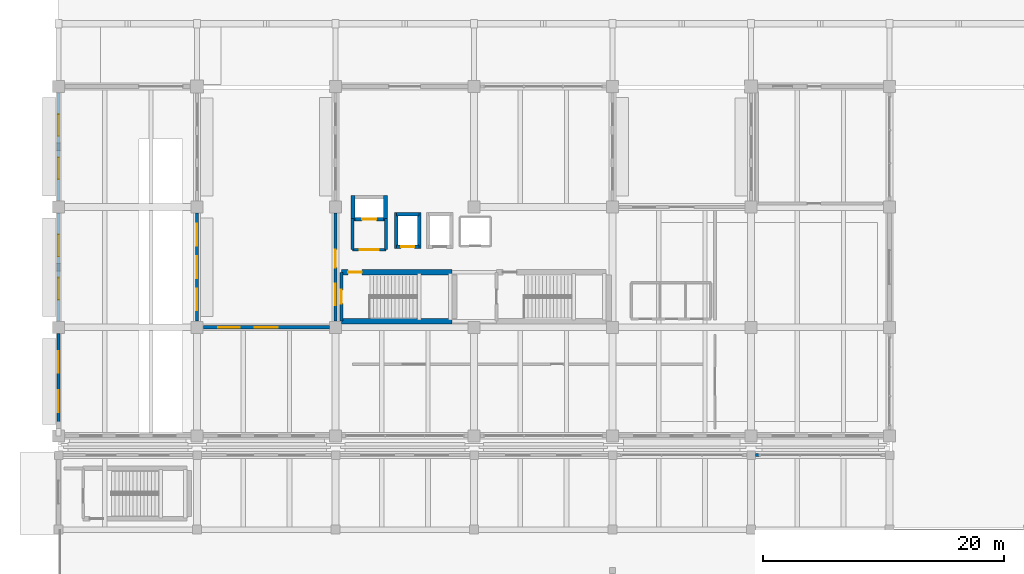
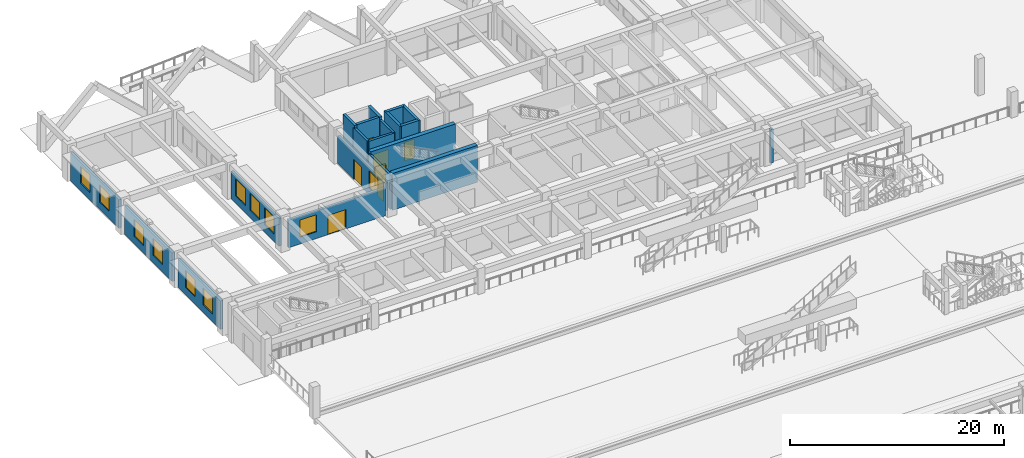
# One storey, part 82 of 109: 20 walls, 11 windows, 7 doors, 18 openings.
"""IFC4 building model written with IfcOpenShell, lengths in metres."""

import ifcopenshell
import ifcopenshell.guid

model = None  # the IFC model being written
_history = None  # IfcOwnerHistory: only IFC2X3 demands one
_inside = {}  # id of a spatial element -> (the spatial element, [elements in it])
_under = {}  # id of a project, library or spatial element -> (it, [spatial elements below it])
_declared = {}  # id of a project -> (the project, [libraries it declares])
_typed = {}  # id of a type object -> (the type object, [elements of that type])
_made_of = {}  # id of a material, layer set ... -> (it, [elements and type objects made of it])


def new_model(schema):
    """Start an empty IFC model of exactly this schema.

    Asked for "IFC4X3", IfcOpenShell would pick the latest addendum, in which some entities
    have other attributes; the version numbers below select the first issue.
    IFC2X3 requires an IfcOwnerHistory on every rooted entity: one is made here for all.
    """
    global model, _history
    if schema == "IFC4X3":
        model = ifcopenshell.file(schema_version=(4, 3, 0, 0))
    else:
        model = ifcopenshell.file(schema=schema)
    _inside.clear()
    _under.clear()
    _declared.clear()
    _typed.clear()
    _made_of.clear()
    _history = None
    if model.schema == "IFC2X3":
        org = make("IfcOrganization", Name="unknown")
        user = make(
            "IfcPersonAndOrganization",
            ThePerson=make("IfcPerson", FamilyName="unknown"),
            TheOrganization=org,
        )
        app = make(
            "IfcApplication",
            ApplicationDeveloper=org,
            Version="unknown",
            ApplicationFullName="unknown",
            ApplicationIdentifier="unknown",
        )
        _history = make(
            "IfcOwnerHistory",
            OwningUser=user,
            OwningApplication=app,
            ChangeAction="ADDED",
            CreationDate=0,
        )
    return model


def make(cls, **values):
    """One entity of the class cls with the attributes given. An attribute that is None is left unset."""
    return model.create_entity(
        cls, **{name: value for name, value in values.items() if value is not None}
    )


def rooted(cls, **values):
    """An entity with a GlobalId (a new one), such as an element, a storey or a relation."""
    return make(cls, GlobalId=ifcopenshell.guid.new(), OwnerHistory=_history, **values)


def si_unit(unit_type, name, prefix=None):
    """IfcSIUnit, for example si_unit("LENGTHUNIT", "METRE", prefix="MILLI")."""
    return make("IfcSIUnit", UnitType=unit_type, Prefix=prefix, Name=name)


def assignment(units):
    """IfcUnitAssignment: the units of a project."""
    return None if units is None else make("IfcUnitAssignment", Units=units)


def point(xyz):
    """IfcCartesianPoint."""
    return None if xyz is None else make("IfcCartesianPoint", Coordinates=xyz)


def direction(xyz):
    """IfcDirection."""
    return None if xyz is None else make("IfcDirection", DirectionRatios=xyz)


def frame(location, z_axis=None, x_axis=None):
    """IfcAxis2Placement3D, a coordinate frame: its origin and axes. An axis left out is left unset."""
    return make(
        "IfcAxis2Placement3D",
        Location=point(location),
        Axis=direction(z_axis),
        RefDirection=direction(x_axis),
    )


def frame_2d(location, x_axis=None):
    """IfcAxis2Placement2D, a coordinate frame in the plane: its origin and x axis."""
    return make(
        "IfcAxis2Placement2D", Location=point(location), RefDirection=direction(x_axis)
    )


def origin():
    """The frame at (0, 0, 0) with its axes left unset."""
    return frame((0.0, 0.0, 0.0))


def place(relative_to, where):
    """IfcLocalPlacement: puts the frame where relative to a parent placement (None: the world)."""
    return make(
        "IfcLocalPlacement", PlacementRelTo=relative_to, RelativePlacement=where
    )


def context(
    kind, dimensions, precision=None, world=None, true_north=None, identifier=None
):
    """IfcGeometricRepresentationContext, for example the 3D "Model" context."""
    return make(
        "IfcGeometricRepresentationContext",
        ContextIdentifier=identifier,
        ContextType=kind,
        CoordinateSpaceDimension=dimensions,
        Precision=precision,
        WorldCoordinateSystem=world,
        TrueNorth=true_north,
    )


def subcontext(parent, identifier, kind, view, scale=None):
    """IfcGeometricRepresentationSubContext, for example "Body" below "Model"."""
    return make(
        "IfcGeometricRepresentationSubContext",
        ContextIdentifier=identifier,
        ContextType=kind,
        ParentContext=parent,
        TargetScale=scale,
        TargetView=view,
    )


def project(units=None, contexts=None):
    """IfcProject with its units and contexts."""
    return rooted(
        "IfcProject",
        Name="project",
        RepresentationContexts=contexts,
        UnitsInContext=assignment(units),
    )


def spatial(cls, under=None, at=None, **own):
    """A site, building, storey or space (cls), placed at a placement, below another one or the project."""
    s = rooted(cls, ObjectPlacement=at, **own)
    if under is not None:
        _under.setdefault(under.id(), (under, []))[1].append(s)
    return s


def profile(cls, at=None, kind="AREA", **sizes):
    """A parametric profile (cls). Its sizes go by their IFC names, for example OverallWidth=200.0."""
    return make(cls, ProfileType=kind, Position=at, **sizes)


def rectangle(**sizes):
    """IfcRectangleProfileDef."""
    return profile("IfcRectangleProfileDef", **sizes)


def extrude(swept, where, along, depth):
    """IfcExtrudedAreaSolid: the profile swept, set in the frame where, extruded along a direction by depth."""
    return make(
        "IfcExtrudedAreaSolid",
        SweptArea=swept,
        Position=where,
        ExtrudedDirection=direction(along),
        Depth=depth,
    )


def shape(context_of_items, identifier, shape_type, items):
    """IfcShapeRepresentation: the items that make up one representation, for example the "Body"."""
    return make(
        "IfcShapeRepresentation",
        ContextOfItems=context_of_items,
        RepresentationIdentifier=identifier,
        RepresentationType=shape_type,
        Items=items,
    )


def material(Name=None, Category=None):
    """IfcMaterial."""
    return make("IfcMaterial", Name=Name, Category=Category)


def layer(
    of_material, thickness, ventilated=None, Name=None, Category=None, Priority=None
):
    """IfcMaterialLayer: one layer of a wall or slab, of a material (None: an air gap)."""
    return make(
        "IfcMaterialLayer",
        Material=of_material,
        LayerThickness=thickness,
        IsVentilated=ventilated,
        Name=Name,
        Category=Category,
        Priority=Priority,
    )


def layer_set(layers, Name=None):
    """IfcMaterialLayerSet."""
    return make("IfcMaterialLayerSet", MaterialLayers=layers, LayerSetName=Name)


def made_of(thing, what):
    """Note that an element or type object is made of a material, layer set ...; save() writes the relation."""
    if what is not None:
        _made_of.setdefault(what.id(), (what, []))[1].append(thing)
    return thing


def type_object(cls, material=None, **own):
    """A type object (cls), such as IfcWallType, which elements share."""
    return made_of(rooted(cls, **own), material)


def element(
    cls,
    number,
    at=None,
    inside=None,
    cuts=None,
    type_object=None,
    material=None,
    context=None,
    identifier="Body",
    shape_type=None,
    held_by="IfcProductDefinitionShape",
    body=None,
    shapes=None,
    **own,
):
    """One element of the class cls, such as IfcWall. Its Tag is "e" and its number.

    at: its placement. inside: the storey or other place that contains it. cuts: it is an
    opening in that element (IfcRelVoidsElement). A single representation is given by context,
    identifier, shape_type and body (its items); several are given by shapes. held_by: the class
    of the entity that holds the representations. save() writes the other relations.
    """
    e = rooted(cls, Tag="e%d" % number, ObjectPlacement=at, **own)
    if body is not None:
        shapes = [shape(context, identifier, shape_type, body)]
    if shapes is not None:
        e.Representation = make(held_by, Representations=shapes)
    if inside is not None:
        _inside.setdefault(inside.id(), (inside, []))[1].append(e)
    if cuts is not None:
        rooted(
            "IfcRelVoidsElement", RelatingBuildingElement=cuts, RelatedOpeningElement=e
        )
    if type_object is not None:
        _typed.setdefault(type_object.id(), (type_object, []))[1].append(e)
    return made_of(e, material)


def fill(opening, filler):
    """IfcRelFillsElement: the door or window that sits in an opening."""
    return rooted(
        "IfcRelFillsElement",
        RelatingOpeningElement=opening,
        RelatedBuildingElement=filler,
    )


def aggregate(whole, parts):
    """IfcRelAggregates: a whole, such as a stair, and the parts it consists of."""
    return rooted("IfcRelAggregates", RelatingObject=whole, RelatedObjects=parts)


def save(model, path):
    """Write the relations noted so far, then the file.

    IfcRelAggregates (storeys below a building ...), IfcRelContainedInSpatialStructure (elements
    in a storey), IfcRelDefinesByType, IfcRelAssociatesMaterial and IfcRelDeclares: one each for
    every whole, place, type object, material and project.
    """
    for whole, parts in _under.values():
        aggregate(whole, parts)
    for where, things in _inside.values():
        rooted(
            "IfcRelContainedInSpatialStructure",
            RelatedElements=things,
            RelatingStructure=where,
        )
    for kind, things in _typed.values():
        rooted("IfcRelDefinesByType", RelatedObjects=things, RelatingType=kind)
    for what, things in _made_of.values():
        rooted("IfcRelAssociatesMaterial", RelatedObjects=things, RelatingMaterial=what)
    for by, libraries in _declared.values():
        rooted("IfcRelDeclares", RelatingContext=by, RelatedDefinitions=libraries)
    model.write(path)


model = new_model("IFC4")

# Units and contexts
model_context = context("Model", 3, precision=1e-05, world=origin(), true_north=direction((0.0, 1.0)))
body_context = subcontext(model_context, "Body", "Model", "MODEL_VIEW")
ifc_project = project(units=[si_unit("LENGTHUNIT", "METRE"), si_unit("AREAUNIT", "SQUARE_METRE"), si_unit("VOLUMEUNIT", "CUBIC_METRE"), si_unit("PLANEANGLEUNIT", "RADIAN"), si_unit("MASSUNIT", "GRAM", prefix="KILO")], contexts=[model_context])

# Site, building, storey
site_placement = place(None, origin())
site = spatial("IfcSite", under=ifc_project, at=site_placement, CompositionType="ELEMENT")
building_placement = place(site_placement, origin())
building = spatial("IfcBuilding", under=site, at=building_placement, Name="Ologun Quay Terminus", CompositionType="ELEMENT")
storey_placement = place(building_placement, origin())
storey = spatial("IfcBuildingStorey", under=building, at=storey_placement, Name="L00", CompositionType="ELEMENT", Elevation=0.0)

# Wall
ifc_material_1 = material(Name="Concrete C45/55", Category="concrete")
ifc_layer_1 = layer(ifc_material_1, 0.449951171875)
ifc_layer_set_1 = layer_set([ifc_layer_1], Name="Concrete C45/55")
wall_type_1 = type_object("IfcWallType", Name="Coupled Wing Primary Core Shear Wall 450", PredefinedType="SHEAR", material=ifc_layer_set_1)
wall_1_placement = place(storey_placement, frame((23.5, 95.324951171875, 0.0), z_axis=(0.0, 0.0, 1.0), x_axis=(1.0, 0.0, 0.0)))
element("IfcWall", 1, at=wall_1_placement, inside=storey, type_object=wall_type_1, Name="WC1 Core South Shear Wall L00", PredefinedType="SHEAR", context=body_context, shape_type="SweptSolid", body=[
    extrude(rectangle(XDim=9.14990234375, YDim=0.449951171875, at=frame_2d((4.574951171875, 0.0))), origin(), (0.0, 0.0, 1.0), 4.199951171875),
])

# Wall, opening, door
wall_2_placement = place(storey_placement, frame((23.5, 99.375, 0.0), z_axis=(0.0, 0.0, 1.0), x_axis=(1.0, 0.0, 0.0)))
wall_2 = element("IfcWall", 2, at=wall_2_placement, inside=storey, type_object=wall_type_1, Name="WC1 Core North Shear Wall L00", PredefinedType="SHEAR", context=body_context, shape_type="SweptSolid", body=[
    extrude(rectangle(XDim=9.14990234375, YDim=0.449951171875, at=frame_2d((4.574951171875, 0.0))), origin(), (0.0, 0.0, 1.0), 4.199951171875),
])
opening_1_placement = place(wall_2_placement, frame((0.550048828125, 0.0, 0.0)))
opening_1 = element("IfcOpeningElement", 3, at=opening_1_placement, cuts=wall_2, Name="Opening ID-089", PredefinedType="OPENING", context=body_context, shape_type="SweptSolid", body=[
    extrude(rectangle(XDim=1.1298828125, YDim=2.14990234375, at=frame_2d((0.56494140625, 1.074951171875))), frame((0.0, 0.23486328125, 0.0), z_axis=(0.0, -1.0, 0.0), x_axis=(1.0, 0.0, 0.0)), (0.0, 0.0, 1.0), 0.469970703125),
])
ifc_material_2 = material(Name="Steel S355", Category="steel")
door_type_1 = type_object("IfcDoorType", Name="Stairwell Fire Escape Door 1130x2150", OperationType="SINGLE_SWING_LEFT", PredefinedType="DOOR", material=ifc_material_2)
door_1_placement = place(opening_1_placement, origin())
door_1 = element("IfcDoor", 4, at=door_1_placement, inside=storey, type_object=door_type_1, Name="FD-01 Door ID-089", OperationType="SINGLE_SWING_LEFT", OverallHeight=2.14990234375, OverallWidth=1.1298828125, PredefinedType="DOOR", context=body_context, shape_type="SweptSolid", body=[
    extrude(rectangle(XDim=1.1298828125, YDim=2.14990234375, at=frame_2d((0.56494140625, 1.074951171875))), frame((0.0, 0.02490234375, 0.0), z_axis=(0.0, -1.0, 0.0), x_axis=(1.0, 0.0, 0.0)), (0.0, 0.0, 1.0), 0.050048828125),
])
fill(opening_1, door_1)

# Wall
ifc_material_3 = material(Name="Concrete C40/50", Category="concrete")
ifc_layer_2 = layer(ifc_material_3, 0.280029296875)
ifc_layer_set_2 = layer_set([ifc_layer_2], Name="Concrete C40/50")
wall_type_2 = type_object("IfcWallType", Name="Courtyard Wing Spandrel Concrete Wall 280", PredefinedType="SOLIDWALL", material=ifc_layer_set_2)
wall_3_placement = place(storey_placement, frame((57.8701171875, 84.199951171875, 0.0), z_axis=(0.0, 0.0, 1.0), x_axis=(1.0, 0.0, 0.0)))
element("IfcWall", 5, at=wall_3_placement, inside=storey, type_object=wall_type_2, Name="Curtain Wall Jamb Pier CW-L00-085-J1", PredefinedType="SOLIDWALL", context=body_context, shape_type="SweptSolid", body=[
    extrude(rectangle(XDim=0.349853515625, YDim=0.280029296875, at=frame_2d((0.1748046875, 0.0))), origin(), (0.0, 0.0, 1.0), 3.85009765625),
])

# Wall, openings, door, window
wall_4_placement = place(storey_placement, frame((23.0, 95.320068359375, 0.0), z_axis=(0.0, 0.0, 1.0), x_axis=(0.0, 1.0, 0.0)))
wall_4 = element("IfcWall", 6, at=wall_4_placement, inside=storey, type_object=wall_type_2, Name="EW-02 Facade Wall WEW-WW-O-L00-16", PredefinedType="SOLIDWALL", context=body_context, shape_type="SweptSolid", body=[
    extrude(rectangle(XDim=8.9599609375, YDim=0.280029296875, at=frame_2d((4.47998046875, 0.0))), origin(), (0.0, 0.0, 1.0), 3.14990234375),
])
opening_2_placement = place(wall_4_placement, frame((4.44677734375, 0.0, 0.0)))
opening_2 = element("IfcOpeningElement", 7, at=opening_2_placement, cuts=wall_4, Name="Opening ED-016", PredefinedType="OPENING", context=body_context, shape_type="SweptSolid", body=[
    extrude(rectangle(XDim=1.5, YDim=2.300048828125, at=frame_2d((0.75, 1.14990234375))), frame((0.0, 0.14990234375, 0.0), z_axis=(0.0, -1.0, 0.0), x_axis=(1.0, 0.0, 0.0)), (0.0, 0.0, 1.0), 0.300048828125),
])
opening_3_placement = place(wall_4_placement, frame((1.323486328125, 0.0, 0.780029296875)))
opening_3 = element("IfcOpeningElement", 8, at=opening_3_placement, cuts=wall_4, Name="Opening WN-174", PredefinedType="OPENING", context=body_context, shape_type="SweptSolid", body=[
    extrude(rectangle(XDim=1.800048828125, YDim=1.949951171875, at=frame_2d((0.89990234375, 0.97509765625))), frame((0.0, 0.14990234375, 0.0), z_axis=(0.0, -1.0, 0.0), x_axis=(1.0, 0.0, 0.0)), (0.0, 0.0, 1.0), 0.300048828125),
])
ifc_material_4 = material(Name="Steel S355", Category="steel")
door_type_2 = type_object("IfcDoorType", Name="Baggage Yard Service Door 1500x2300", OperationType="DOUBLE_DOOR_SINGLE_SWING", PredefinedType="DOOR", material=ifc_material_4)
door_2_placement = place(opening_2_placement, origin())
door_2 = element("IfcDoor", 9, at=door_2_placement, inside=storey, type_object=door_type_2, Name="D-08 Exterior Door ED-016", OperationType="DOUBLE_DOOR_SINGLE_SWING", OverallHeight=2.300048828125, OverallWidth=1.5, PredefinedType="DOOR", context=body_context, shape_type="SweptSolid", body=[
    extrude(rectangle(XDim=1.5, YDim=2.300048828125, at=frame_2d((0.75, 1.14990234375))), frame((0.0, 0.02490234375, 0.0), z_axis=(0.0, -1.0, 0.0), x_axis=(1.0, 0.0, 0.0)), (0.0, 0.0, 1.0), 0.050048828125),
])
fill(opening_2, door_2)
ifc_material_5 = material(Name="Glass", Category="glass")
window_type = type_object("IfcWindowType", Name="Waterfront Pavilion Module Window 1800x1950", PartitioningType="SINGLE_PANEL", PredefinedType="WINDOW", material=ifc_material_5)
window_1_placement = place(opening_3_placement, origin())
window_1 = element("IfcWindow", 10, at=window_1_placement, inside=storey, type_object=window_type, Name="W-11 Window WN-174", OverallHeight=1.949951171875, OverallWidth=1.800048828125, PartitioningType="SINGLE_PANEL", PredefinedType="WINDOW", context=body_context, shape_type="SweptSolid", body=[
    extrude(rectangle(XDim=1.800048828125, YDim=1.949951171875, at=frame_2d((0.89990234375, 0.97509765625))), frame((0.0, 0.030029296875, 0.0), z_axis=(0.0, -1.0, 0.0), x_axis=(1.0, 0.0, 0.0)), (0.0, 0.0, 1.0), 0.06005859375),
])
fill(opening_3, window_1)

wall_5_placement = place(storey_placement, frame((12.02001953125, 94.800048828125, 0.0), z_axis=(0.0, 0.0, 1.0), x_axis=(1.0, 0.0, 0.0)))
wall_5 = element("IfcWall", 11, at=wall_5_placement, inside=storey, type_object=wall_type_2, Name="EW-02 Facade Wall WEW-WW-O-L00-18", PredefinedType="SOLIDWALL", context=body_context, shape_type="SweptSolid", body=[
    extrude(rectangle(XDim=10.4599609375, YDim=0.280029296875, at=frame_2d((5.22998046875, 0.0))), origin(), (0.0, 0.0, 1.0), 3.14990234375),
])
opening_4_placement = place(wall_5_placement, frame((4.280029296875, 0.0, 0.0)))
opening_4 = element("IfcOpeningElement", 12, at=opening_4_placement, cuts=wall_5, Name="Opening ED-017", PredefinedType="OPENING", context=body_context, shape_type="SweptSolid", body=[
    extrude(rectangle(XDim=1.89990234375, YDim=2.199951171875, at=frame_2d((0.949951171875, 1.10009765625))), frame((0.0, 0.14990234375, 0.0), z_axis=(0.0, -1.0, 0.0), x_axis=(1.0, 0.0, 0.0)), (0.0, 0.0, 1.0), 0.300048828125),
])
opening_5_placement = place(wall_5_placement, frame((1.239990234375, 0.0, 0.780029296875)))
opening_5 = element("IfcOpeningElement", 13, at=opening_5_placement, cuts=wall_5, Name="Opening WN-178", PredefinedType="OPENING", context=body_context, shape_type="SweptSolid", body=[
    extrude(rectangle(XDim=1.800048828125, YDim=1.949951171875, at=frame_2d((0.89990234375, 0.97509765625))), frame((0.0, 0.14990234375, 0.0), z_axis=(0.0, -1.0, 0.0), x_axis=(1.0, 0.0, 0.0)), (0.0, 0.0, 1.0), 0.300048828125),
])
ifc_material_6 = material(Name="Steel S355", Category="steel")
door_type_3 = type_object("IfcDoorType", Name="Station Perimeter Final Exit Pair 1900x2200", OperationType="DOUBLE_DOOR_SINGLE_SWING", PredefinedType="DOOR", material=ifc_material_6)
door_3_placement = place(opening_4_placement, origin())
door_3 = element("IfcDoor", 14, at=door_3_placement, inside=storey, type_object=door_type_3, Name="D-04 Exterior Door ED-017", OperationType="DOUBLE_DOOR_SINGLE_SWING", OverallHeight=2.199951171875, OverallWidth=1.89990234375, PredefinedType="DOOR", context=body_context, shape_type="SweptSolid", body=[
    extrude(rectangle(XDim=1.89990234375, YDim=2.199951171875, at=frame_2d((0.949951171875, 1.10009765625))), frame((0.0, 0.02490234375, 0.0), z_axis=(0.0, -1.0, 0.0), x_axis=(1.0, 0.0, 0.0)), (0.0, 0.0, 1.0), 0.050048828125),
])
fill(opening_4, door_3)
window_2_placement = place(opening_5_placement, origin())
window_2 = element("IfcWindow", 15, at=window_2_placement, inside=storey, type_object=window_type, Name="W-11 Window WN-178", OverallHeight=1.949951171875, OverallWidth=1.800048828125, PartitioningType="SINGLE_PANEL", PredefinedType="WINDOW", context=body_context, shape_type="SweptSolid", body=[
    extrude(rectangle(XDim=1.800048828125, YDim=1.949951171875, at=frame_2d((0.89990234375, 0.97509765625))), frame((0.0, 0.030029296875, 0.0), z_axis=(0.0, -1.0, 0.0), x_axis=(1.0, 0.0, 0.0)), (0.0, 0.0, 1.0), 0.06005859375),
])
fill(opening_5, window_2)

# Wall, openings, windows
wall_6_placement = place(storey_placement, frame((11.5, 95.320068359375, 0.0), z_axis=(0.0, 0.0, 1.0), x_axis=(0.0, 1.0, 0.0)))
wall_6 = element("IfcWall", 16, at=wall_6_placement, inside=storey, type_object=wall_type_2, Name="EW-02 Facade Wall WEW-WW-O-L00-19", PredefinedType="SOLIDWALL", context=body_context, shape_type="SweptSolid", body=[
    extrude(rectangle(XDim=8.9599609375, YDim=0.280029296875, at=frame_2d((4.47998046875, 0.0))), origin(), (0.0, 0.0, 1.0), 3.14990234375),
])
opening_6_placement = place(wall_6_placement, frame((0.889892578125, 0.0, 0.85009765625)))
opening_6 = element("IfcOpeningElement", 17, at=opening_6_placement, cuts=wall_6, Name="Opening WN-179", PredefinedType="OPENING", context=body_context, shape_type="SweptSolid", body=[
    extrude(rectangle(XDim=1.800048828125, YDim=1.949951171875, at=frame_2d((0.89990234375, 0.97509765625))), frame((0.0, 0.14990234375, 0.0), z_axis=(0.0, -1.0, 0.0), x_axis=(1.0, 0.0, 0.0)), (0.0, 0.0, 1.0), 0.300048828125),
])
opening_7_placement = place(wall_6_placement, frame((3.580078125, 0.0, 0.85009765625)))
opening_7 = element("IfcOpeningElement", 18, at=opening_7_placement, cuts=wall_6, Name="Opening WN-180", PredefinedType="OPENING", context=body_context, shape_type="SweptSolid", body=[
    extrude(rectangle(XDim=1.800048828125, YDim=1.949951171875, at=frame_2d((0.89990234375, 0.97509765625))), frame((0.0, 0.14990234375, 0.0), z_axis=(0.0, -1.0, 0.0), x_axis=(1.0, 0.0, 0.0)), (0.0, 0.0, 1.0), 0.300048828125),
])
opening_8_placement = place(wall_6_placement, frame((6.27001953125, 0.0, 0.85009765625)))
opening_8 = element("IfcOpeningElement", 19, at=opening_8_placement, cuts=wall_6, Name="Opening WN-181", PredefinedType="OPENING", context=body_context, shape_type="SweptSolid", body=[
    extrude(rectangle(XDim=1.800048828125, YDim=1.949951171875, at=frame_2d((0.89990234375, 0.97509765625))), frame((0.0, 0.14990234375, 0.0), z_axis=(0.0, -1.0, 0.0), x_axis=(1.0, 0.0, 0.0)), (0.0, 0.0, 1.0), 0.300048828125),
])
window_3_placement = place(opening_6_placement, origin())
window_3 = element("IfcWindow", 20, at=window_3_placement, inside=storey, type_object=window_type, Name="W-11 Window WN-179", OverallHeight=1.949951171875, OverallWidth=1.800048828125, PartitioningType="SINGLE_PANEL", PredefinedType="WINDOW", context=body_context, shape_type="SweptSolid", body=[
    extrude(rectangle(XDim=1.800048828125, YDim=1.949951171875, at=frame_2d((0.89990234375, 0.97509765625))), frame((0.0, 0.030029296875, 0.0), z_axis=(0.0, -1.0, 0.0), x_axis=(1.0, 0.0, 0.0)), (0.0, 0.0, 1.0), 0.06005859375),
])
fill(opening_6, window_3)
window_4_placement = place(opening_7_placement, origin())
window_4 = element("IfcWindow", 21, at=window_4_placement, inside=storey, type_object=window_type, Name="W-11 Window WN-180", OverallHeight=1.949951171875, OverallWidth=1.800048828125, PartitioningType="SINGLE_PANEL", PredefinedType="WINDOW", context=body_context, shape_type="SweptSolid", body=[
    extrude(rectangle(XDim=1.800048828125, YDim=1.949951171875, at=frame_2d((0.89990234375, 0.97509765625))), frame((0.0, 0.030029296875, 0.0), z_axis=(0.0, -1.0, 0.0), x_axis=(1.0, 0.0, 0.0)), (0.0, 0.0, 1.0), 0.06005859375),
])
fill(opening_7, window_4)
window_5_placement = place(opening_8_placement, origin())
window_5 = element("IfcWindow", 22, at=window_5_placement, inside=storey, type_object=window_type, Name="W-11 Window WN-181", OverallHeight=1.949951171875, OverallWidth=1.800048828125, PartitioningType="SINGLE_PANEL", PredefinedType="WINDOW", context=body_context, shape_type="SweptSolid", body=[
    extrude(rectangle(XDim=1.800048828125, YDim=1.949951171875, at=frame_2d((0.89990234375, 0.97509765625))), frame((0.0, 0.030029296875, 0.0), z_axis=(0.0, -1.0, 0.0), x_axis=(1.0, 0.0, 0.0)), (0.0, 0.0, 1.0), 0.06005859375),
])
fill(opening_8, window_5)

wall_7_placement = place(storey_placement, frame((0.0, 86.320068359375, 0.0), z_axis=(0.0, 0.0, 1.0), x_axis=(0.0, 1.0, 0.0)))
wall_7 = element("IfcWall", 23, at=wall_7_placement, inside=storey, type_object=wall_type_2, Name="EW-02 Facade Wall WEW-WW-O-L00-22", PredefinedType="SOLIDWALL", context=body_context, shape_type="SweptSolid", body=[
    extrude(rectangle(XDim=7.9599609375, YDim=0.280029296875, at=frame_2d((3.97998046875, 0.0))), origin(), (0.0, 0.0, 1.0), 3.25),
])
opening_9_placement = place(wall_7_placement, frame((1.453369140625, 0.0, 0.85009765625)))
opening_9 = element("IfcOpeningElement", 24, at=opening_9_placement, cuts=wall_7, Name="Opening WN-185", PredefinedType="OPENING", context=body_context, shape_type="SweptSolid", body=[
    extrude(rectangle(XDim=1.800048828125, YDim=1.949951171875, at=frame_2d((0.89990234375, 0.97509765625))), frame((0.0, 0.14990234375, 0.0), z_axis=(0.0, -1.0, 0.0), x_axis=(1.0, 0.0, 0.0)), (0.0, 0.0, 1.0), 0.300048828125),
])
opening_10_placement = place(wall_7_placement, frame((4.706787109375, 0.0, 0.85009765625)))
opening_10 = element("IfcOpeningElement", 25, at=opening_10_placement, cuts=wall_7, Name="Opening WN-186", PredefinedType="OPENING", context=body_context, shape_type="SweptSolid", body=[
    extrude(rectangle(XDim=1.800048828125, YDim=1.949951171875, at=frame_2d((0.89990234375, 0.97509765625))), frame((0.0, 0.14990234375, 0.0), z_axis=(0.0, -1.0, 0.0), x_axis=(1.0, 0.0, 0.0)), (0.0, 0.0, 1.0), 0.300048828125),
])
window_6_placement = place(opening_9_placement, origin())
window_6 = element("IfcWindow", 26, at=window_6_placement, inside=storey, type_object=window_type, Name="W-11 Window WN-185", OverallHeight=1.949951171875, OverallWidth=1.800048828125, PartitioningType="SINGLE_PANEL", PredefinedType="WINDOW", context=body_context, shape_type="SweptSolid", body=[
    extrude(rectangle(XDim=1.800048828125, YDim=1.949951171875, at=frame_2d((0.89990234375, 0.97509765625))), frame((0.0, 0.030029296875, 0.0), z_axis=(0.0, -1.0, 0.0), x_axis=(1.0, 0.0, 0.0)), (0.0, 0.0, 1.0), 0.06005859375),
])
fill(opening_9, window_6)
window_7_placement = place(opening_10_placement, origin())
window_7 = element("IfcWindow", 27, at=window_7_placement, inside=storey, type_object=window_type, Name="W-11 Window WN-186", OverallHeight=1.949951171875, OverallWidth=1.800048828125, PartitioningType="SINGLE_PANEL", PredefinedType="WINDOW", context=body_context, shape_type="SweptSolid", body=[
    extrude(rectangle(XDim=1.800048828125, YDim=1.949951171875, at=frame_2d((0.89990234375, 0.97509765625))), frame((0.0, 0.030029296875, 0.0), z_axis=(0.0, -1.0, 0.0), x_axis=(1.0, 0.0, 0.0)), (0.0, 0.0, 1.0), 0.06005859375),
])
fill(opening_10, window_7)

wall_8_placement = place(storey_placement, frame((0.0, 95.320068359375, 0.0), z_axis=(0.0, 0.0, 1.0), x_axis=(0.0, 1.0, 0.0)))
wall_8 = element("IfcWall", 28, at=wall_8_placement, inside=storey, type_object=wall_type_2, Name="EW-02 Facade Wall WEW-WW-O-L00-23", PredefinedType="SOLIDWALL", context=body_context, shape_type="SweptSolid", body=[
    extrude(rectangle(XDim=8.9599609375, YDim=0.280029296875, at=frame_2d((4.47998046875, 0.0))), origin(), (0.0, 0.0, 1.0), 3.25),
])
opening_11_placement = place(wall_8_placement, frame((1.78662109375, 0.0, 0.85009765625)))
opening_11 = element("IfcOpeningElement", 29, at=opening_11_placement, cuts=wall_8, Name="Opening WN-187", PredefinedType="OPENING", context=body_context, shape_type="SweptSolid", body=[
    extrude(rectangle(XDim=1.800048828125, YDim=1.949951171875, at=frame_2d((0.89990234375, 0.97509765625))), frame((0.0, 0.14990234375, 0.0), z_axis=(0.0, -1.0, 0.0), x_axis=(1.0, 0.0, 0.0)), (0.0, 0.0, 1.0), 0.300048828125),
])
opening_12_placement = place(wall_8_placement, frame((5.373291015625, 0.0, 0.85009765625)))
opening_12 = element("IfcOpeningElement", 30, at=opening_12_placement, cuts=wall_8, Name="Opening WN-188", PredefinedType="OPENING", context=body_context, shape_type="SweptSolid", body=[
    extrude(rectangle(XDim=1.800048828125, YDim=1.949951171875, at=frame_2d((0.89990234375, 0.97509765625))), frame((0.0, 0.14990234375, 0.0), z_axis=(0.0, -1.0, 0.0), x_axis=(1.0, 0.0, 0.0)), (0.0, 0.0, 1.0), 0.300048828125),
])
window_8_placement = place(opening_11_placement, origin())
window_8 = element("IfcWindow", 31, at=window_8_placement, inside=storey, type_object=window_type, Name="W-11 Window WN-187", OverallHeight=1.949951171875, OverallWidth=1.800048828125, PartitioningType="SINGLE_PANEL", PredefinedType="WINDOW", context=body_context, shape_type="SweptSolid", body=[
    extrude(rectangle(XDim=1.800048828125, YDim=1.949951171875, at=frame_2d((0.89990234375, 0.97509765625))), frame((0.0, 0.030029296875, 0.0), z_axis=(0.0, -1.0, 0.0), x_axis=(1.0, 0.0, 0.0)), (0.0, 0.0, 1.0), 0.06005859375),
])
fill(opening_11, window_8)
window_9_placement = place(opening_12_placement, origin())
window_9 = element("IfcWindow", 32, at=window_9_placement, inside=storey, type_object=window_type, Name="W-11 Window WN-188", OverallHeight=1.949951171875, OverallWidth=1.800048828125, PartitioningType="SINGLE_PANEL", PredefinedType="WINDOW", context=body_context, shape_type="SweptSolid", body=[
    extrude(rectangle(XDim=1.800048828125, YDim=1.949951171875, at=frame_2d((0.89990234375, 0.97509765625))), frame((0.0, 0.030029296875, 0.0), z_axis=(0.0, -1.0, 0.0), x_axis=(1.0, 0.0, 0.0)), (0.0, 0.0, 1.0), 0.06005859375),
])
fill(opening_12, window_9)

wall_9_placement = place(storey_placement, frame((0.0, 105.320068359375, 0.0), z_axis=(0.0, 0.0, 1.0), x_axis=(0.0, 1.0, 0.0)))
wall_9 = element("IfcWall", 33, at=wall_9_placement, inside=storey, type_object=wall_type_2, Name="EW-02 Facade Wall WEW-WW-O-L00-24", PredefinedType="SOLIDWALL", context=body_context, shape_type="SweptSolid", body=[
    extrude(rectangle(XDim=8.9599609375, YDim=0.280029296875, at=frame_2d((4.47998046875, 0.0))), origin(), (0.0, 0.0, 1.0), 3.25),
])
opening_13_placement = place(wall_9_placement, frame((1.78662109375, 0.0, 0.85009765625)))
opening_13 = element("IfcOpeningElement", 34, at=opening_13_placement, cuts=wall_9, Name="Opening WN-189", PredefinedType="OPENING", context=body_context, shape_type="SweptSolid", body=[
    extrude(rectangle(XDim=1.800048828125, YDim=1.949951171875, at=frame_2d((0.89990234375, 0.97509765625))), frame((0.0, 0.14990234375, 0.0), z_axis=(0.0, -1.0, 0.0), x_axis=(1.0, 0.0, 0.0)), (0.0, 0.0, 1.0), 0.300048828125),
])
opening_14_placement = place(wall_9_placement, frame((5.373291015625, 0.0, 0.85009765625)))
opening_14 = element("IfcOpeningElement", 35, at=opening_14_placement, cuts=wall_9, Name="Opening WN-190", PredefinedType="OPENING", context=body_context, shape_type="SweptSolid", body=[
    extrude(rectangle(XDim=1.800048828125, YDim=1.949951171875, at=frame_2d((0.89990234375, 0.97509765625))), frame((0.0, 0.14990234375, 0.0), z_axis=(0.0, -1.0, 0.0), x_axis=(1.0, 0.0, 0.0)), (0.0, 0.0, 1.0), 0.300048828125),
])
window_10_placement = place(opening_13_placement, origin())
window_10 = element("IfcWindow", 36, at=window_10_placement, inside=storey, type_object=window_type, Name="W-11 Window WN-189", OverallHeight=1.949951171875, OverallWidth=1.800048828125, PartitioningType="SINGLE_PANEL", PredefinedType="WINDOW", context=body_context, shape_type="SweptSolid", body=[
    extrude(rectangle(XDim=1.800048828125, YDim=1.949951171875, at=frame_2d((0.89990234375, 0.97509765625))), frame((0.0, 0.030029296875, 0.0), z_axis=(0.0, -1.0, 0.0), x_axis=(1.0, 0.0, 0.0)), (0.0, 0.0, 1.0), 0.06005859375),
])
fill(opening_13, window_10)
window_11_placement = place(opening_14_placement, origin())
window_11 = element("IfcWindow", 37, at=window_11_placement, inside=storey, type_object=window_type, Name="W-11 Window WN-190", OverallHeight=1.949951171875, OverallWidth=1.800048828125, PartitioningType="SINGLE_PANEL", PredefinedType="WINDOW", context=body_context, shape_type="SweptSolid", body=[
    extrude(rectangle(XDim=1.800048828125, YDim=1.949951171875, at=frame_2d((0.89990234375, 0.97509765625))), frame((0.0, 0.030029296875, 0.0), z_axis=(0.0, -1.0, 0.0), x_axis=(1.0, 0.0, 0.0)), (0.0, 0.0, 1.0), 0.06005859375),
])
fill(opening_14, window_11)

# Wall, opening, door
ifc_material_7 = material(Name="Concrete C40/50", Category="concrete")
ifc_layer_3 = layer(ifc_material_7, 0.239990234375)
ifc_layer_set_3 = layer_set([ifc_layer_3], Name="Concrete C40/50")
wall_type_3 = type_object("IfcWallType", Name="Fire Compartment Blockwork Wall 240", PredefinedType="SOLIDWALL", material=ifc_layer_set_3)
wall_10_placement = place(storey_placement, frame((23.5, 95.330078125, 0.0), z_axis=(0.0, 0.0, 1.0), x_axis=(0.0, 1.0, 0.0)))
wall_10 = element("IfcWall", 38, at=wall_10_placement, inside=storey, type_object=wall_type_3, Name="PW-01 Partition WStair1-W", PredefinedType="SOLIDWALL", context=body_context, shape_type="SweptSolid", body=[
    extrude(rectangle(XDim=4.0400390625, YDim=0.239990234375, at=frame_2d((2.02001953125, 0.0))), origin(), (0.0, 0.0, 1.0), 3.8798828125),
])
opening_15_placement = place(wall_10_placement, frame((1.449951171875, 0.0, 0.0)))
opening_15 = element("IfcOpeningElement", 39, at=opening_15_placement, cuts=wall_10, Name="Opening ID-088", PredefinedType="OPENING", context=body_context, shape_type="SweptSolid", body=[
    extrude(rectangle(XDim=1.1298828125, YDim=2.14990234375, at=frame_2d((0.56494140625, 1.074951171875))), frame((0.0, 0.1298828125, 0.0), z_axis=(0.0, -1.0, 0.0), x_axis=(1.0, 0.0, 0.0)), (0.0, 0.0, 1.0), 0.260009765625),
])
door_4_placement = place(opening_15_placement, origin())
door_4 = element("IfcDoor", 40, at=door_4_placement, inside=storey, type_object=door_type_1, Name="FD-01 Door ID-088", OperationType="SINGLE_SWING_LEFT", OverallHeight=2.14990234375, OverallWidth=1.1298828125, PredefinedType="DOOR", context=body_context, shape_type="SweptSolid", body=[
    extrude(rectangle(XDim=1.1298828125, YDim=2.14990234375, at=frame_2d((0.56494140625, 1.074951171875))), frame((0.0, 0.02490234375, 0.0), z_axis=(0.0, -1.0, 0.0), x_axis=(1.0, 0.0, 0.0)), (0.0, 0.0, 1.0), 0.050048828125),
])
fill(opening_15, door_4)

wall_11_placement = place(storey_placement, frame((24.419921875, 101.25, 0.0), z_axis=(0.0, 0.0, 1.0), x_axis=(1.0, 0.0, 0.0)))
wall_11 = element("IfcWall", 41, at=wall_11_placement, inside=storey, type_object=wall_type_3, Name="PW-01 Partition WFFL-S", PredefinedType="SOLIDWALL", context=body_context, shape_type="SweptSolid", body=[
    extrude(rectangle(XDim=2.760009765625, YDim=0.239990234375, at=frame_2d((1.3798828125, 0.0))), origin(), (0.0, 0.0, 1.0), 3.8798828125),
])
opening_16_placement = place(wall_11_placement, frame((0.580078125, 0.0, 0.0)))
opening_16 = element("IfcOpeningElement", 42, at=opening_16_placement, cuts=wall_11, Name="Opening ID-092", PredefinedType="OPENING", context=body_context, shape_type="SweptSolid", body=[
    extrude(rectangle(XDim=1.60009765625, YDim=2.14990234375, at=frame_2d((0.800048828125, 1.074951171875))), frame((0.0, 0.1298828125, 0.0), z_axis=(0.0, -1.0, 0.0), x_axis=(1.0, 0.0, 0.0)), (0.0, 0.0, 1.0), 0.260009765625),
])
ifc_material_8 = material(Name="Steel S355", Category="steel")
door_type_4 = type_object("IfcDoorType", Name="Firefighting Lobby Double Smoke Door 1600x2150", OperationType="DOUBLE_DOOR_SINGLE_SWING", PredefinedType="DOOR", material=ifc_material_8)
door_5_placement = place(opening_16_placement, origin())
door_5 = element("IfcDoor", 43, at=door_5_placement, inside=storey, type_object=door_type_4, Name="FD-02 Door ID-092", OperationType="DOUBLE_DOOR_SINGLE_SWING", OverallHeight=2.14990234375, OverallWidth=1.60009765625, PredefinedType="DOOR", context=body_context, shape_type="SweptSolid", body=[
    extrude(rectangle(XDim=1.60009765625, YDim=2.14990234375, at=frame_2d((0.800048828125, 1.074951171875))), frame((0.0, 0.02490234375, 0.0), z_axis=(0.0, -1.0, 0.0), x_axis=(1.0, 0.0, 0.0)), (0.0, 0.0, 1.0), 0.050048828125),
])
fill(opening_16, door_5)

# Walls
for number, where, z_axis, x_axis, name in (
    (44, (24.419921875, 101.25, 0.0), (0.0, 0.0, 1.0), (0.0, 1.0, 0.0), "PW-01 Partition WFFL-W"),
    (45, (27.179931640625, 101.25, 0.0), (0.0, 0.0, 1.0), (0.0, 1.0, 0.0), "PW-01 Partition WFFL-E"),
):
    element("IfcWall", number, at=place(storey_placement, frame(where, z_axis=z_axis, x_axis=x_axis)), inside=storey, type_object=wall_type_3, Name=name, PredefinedType="SOLIDWALL", context=body_context, shape_type="SweptSolid", body=[
        extrude(rectangle(XDim=2.60009765625, YDim=0.239990234375, at=frame_2d((1.300048828125, 0.0))), origin(), (0.0, 0.0, 1.0), 3.8798828125),
    ])

# Wall, opening, door
ifc_material_9 = material(Name="Concrete C40/50", Category="concrete")
ifc_layer_4 = layer(ifc_material_9, 0.300048828125)
ifc_layer_set_4 = layer_set([ifc_layer_4], Name="Concrete C40/50")
wall_type_4 = type_object("IfcWallType", Name="Lift Shaft Structural Shear Wall 300", PredefinedType="SHEAR", material=ifc_layer_set_4)
wall_12_placement = place(storey_placement, frame((24.449951171875, 103.780029296875, 0.0), z_axis=(0.0, 0.0, 1.0), x_axis=(1.0, 0.0, 0.0)))
wall_12 = element("IfcWall", 46, at=wall_12_placement, inside=storey, type_object=wall_type_4, Name="Lift FFL-01 Shaft Wall S L00", PredefinedType="SHEAR", context=body_context, shape_type="SweptSolid", body=[
    extrude(rectangle(XDim=2.699951171875, YDim=0.300048828125, at=frame_2d((1.35009765625, 0.0))), origin(), (0.0, 0.0, 1.0), 4.199951171875),
])
opening_17_placement = place(wall_12_placement, frame((0.75, 0.0, 0.0)))
opening_17 = element("IfcOpeningElement", 47, at=opening_17_placement, cuts=wall_12, Name="Opening ID-003", PredefinedType="OPENING", context=body_context, shape_type="SweptSolid", body=[
    extrude(rectangle(XDim=1.199951171875, YDim=2.14990234375, at=frame_2d((0.60009765625, 1.074951171875))), frame((0.0, 0.16015625, 0.0), z_axis=(0.0, -1.0, 0.0), x_axis=(1.0, 0.0, 0.0)), (0.0, 0.0, 1.0), 0.320068359375),
])
ifc_material_10 = material(Name="Steel S355", Category="steel")
door_type_5 = type_object("IfcDoorType", Name="Firefighting Lift Landing Sliding Door 1200x2150", OperationType="SLIDING_TO_RIGHT", PredefinedType="DOOR", material=ifc_material_10)
door_6_placement = place(opening_17_placement, origin())
door_6 = element("IfcDoor", 48, at=door_6_placement, inside=storey, type_object=door_type_5, Name="LD-02 Door ID-003", OperationType="SLIDING_TO_RIGHT", OverallHeight=2.14990234375, OverallWidth=1.199951171875, PredefinedType="DOOR", context=body_context, shape_type="SweptSolid", body=[
    extrude(rectangle(XDim=1.199951171875, YDim=2.14990234375, at=frame_2d((0.60009765625, 1.074951171875))), frame((0.0, 0.02490234375, 0.0), z_axis=(0.0, -1.0, 0.0), x_axis=(1.0, 0.0, 0.0)), (0.0, 0.0, 1.0), 0.050048828125),
])
fill(opening_17, door_6)

# Walls
for number, where, z_axis, x_axis, name in (
    (49, (24.449951171875, 103.6298828125, 0.0), (0.0, 0.0, 1.0), (0.0, 1.0, 0.0), "Lift FFL-01 Shaft Wall W L00"),
    (50, (27.14990234375, 103.6298828125, 0.0), (0.0, 0.0, 1.0), (0.0, 1.0, 0.0), "Lift FFL-01 Shaft Wall E L00"),
):
    element("IfcWall", number, at=place(storey_placement, frame(where, z_axis=z_axis, x_axis=x_axis)), inside=storey, type_object=wall_type_4, Name=name, PredefinedType="SHEAR", context=body_context, shape_type="SweptSolid", body=[
        extrude(rectangle(XDim=2.14013671875, YDim=0.300048828125, at=frame_2d((1.070068359375, 0.0))), origin(), (0.0, 0.0, 1.0), 4.199951171875),
    ])

# Wall, opening, door
wall_13_placement = place(storey_placement, frame((28.050048828125, 101.5, 0.0), z_axis=(0.0, 0.0, 1.0), x_axis=(1.0, 0.0, 0.0)))
wall_13 = element("IfcWall", 51, at=wall_13_placement, inside=storey, type_object=wall_type_4, Name="Lift PL-W1 Shaft Wall S L00", PredefinedType="SHEAR", context=body_context, shape_type="SweptSolid", body=[
    extrude(rectangle(XDim=1.89990234375, YDim=0.300048828125, at=frame_2d((0.949951171875, 0.0))), origin(), (0.0, 0.0, 1.0), 4.199951171875),
])
opening_18_placement = place(wall_13_placement, frame((0.39990234375, 0.0, 0.0)))
opening_18 = element("IfcOpeningElement", 52, at=opening_18_placement, cuts=wall_13, Name="Opening ID-018", PredefinedType="OPENING", context=body_context, shape_type="SweptSolid", body=[
    extrude(rectangle(XDim=1.10009765625, YDim=2.14990234375, at=frame_2d((0.550048828125, 1.074951171875))), frame((0.0, 0.16015625, 0.0), z_axis=(0.0, -1.0, 0.0), x_axis=(1.0, 0.0, 0.0)), (0.0, 0.0, 1.0), 0.320068359375),
])
ifc_material_11 = material(Name="Steel S355", Category="steel")
door_type_6 = type_object("IfcDoorType", Name="Lift Landing Sliding Door 1100x2150", OperationType="SLIDING_TO_LEFT", PredefinedType="DOOR", material=ifc_material_11)
door_7_placement = place(opening_18_placement, origin())
door_7 = element("IfcDoor", 53, at=door_7_placement, inside=storey, type_object=door_type_6, Name="LD-01 Door ID-018", OperationType="SLIDING_TO_LEFT", OverallHeight=2.14990234375, OverallWidth=1.10009765625, PredefinedType="DOOR", context=body_context, shape_type="SweptSolid", body=[
    extrude(rectangle(XDim=1.10009765625, YDim=2.14990234375, at=frame_2d((0.550048828125, 1.074951171875))), frame((0.0, 0.02490234375, 0.0), z_axis=(0.0, -1.0, 0.0), x_axis=(1.0, 0.0, 0.0)), (0.0, 0.0, 1.0), 0.050048828125),
])
fill(opening_18, door_7)

# Walls
wall_14_placement = place(storey_placement, frame((28.050048828125, 104.199951171875, 0.0), z_axis=(0.0, 0.0, 1.0), x_axis=(1.0, 0.0, 0.0)))
element("IfcWall", 54, at=wall_14_placement, inside=storey, type_object=wall_type_4, Name="Lift PL-W1 Shaft Wall N L00", PredefinedType="SHEAR", context=body_context, shape_type="SweptSolid", body=[
    extrude(rectangle(XDim=1.89990234375, YDim=0.300048828125, at=frame_2d((0.949951171875, 0.0))), origin(), (0.0, 0.0, 1.0), 4.199951171875),
])
for number, where, z_axis, x_axis, name in (
    (55, (28.050048828125, 101.35009765625, 0.0), (0.0, 0.0, 1.0), (0.0, 1.0, 0.0), "Lift PL-W1 Shaft Wall W L00"),
    (56, (29.949951171875, 101.35009765625, 0.0), (0.0, 0.0, 1.0), (0.0, 1.0, 0.0), "Lift PL-W1 Shaft Wall E L00"),
):
    element("IfcWall", number, at=place(storey_placement, frame(where, z_axis=z_axis, x_axis=x_axis)), inside=storey, type_object=wall_type_4, Name=name, PredefinedType="SHEAR", context=body_context, shape_type="SweptSolid", body=[
        extrude(rectangle(XDim=3.0, YDim=0.300048828125, at=frame_2d((1.5, 0.0))), origin(), (0.0, 0.0, 1.0), 4.199951171875),
    ])

save(model, "model.ifc")
